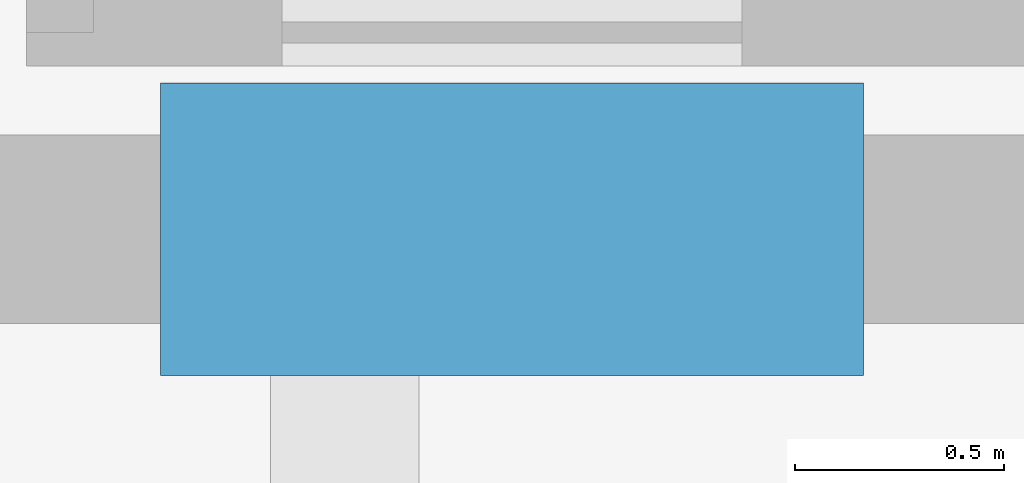
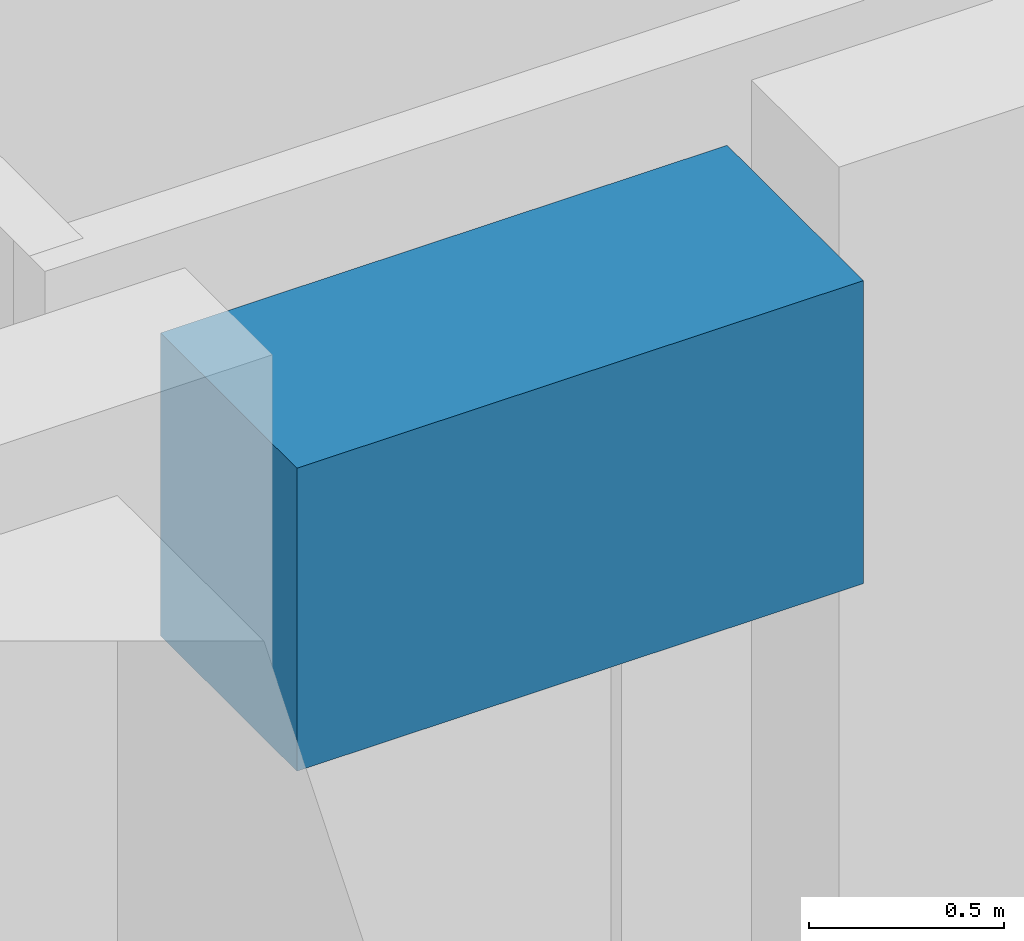
# One storey, part 7 of 30: 1 beam.
"""IFC4 building model written with IfcOpenShell, lengths in metres."""

from ifc_helpers import new_model, si_unit, direction, frame, origin, origin_2d, place, context, subcontext, project, spatial, rectangle, extrude, material, material_profile, profile_set, type_object, element, save


model = new_model("IFC4")

# Units and contexts
model_context = context("Model", 3, precision=1e-05, world=origin(), true_north=direction((0.0, 1.0)))
body_context = subcontext(model_context, "Body", "Model", "MODEL_VIEW")
ifc_project = project(units=[si_unit("LENGTHUNIT", "METRE"), si_unit("AREAUNIT", "SQUARE_METRE"), si_unit("VOLUMEUNIT", "CUBIC_METRE"), si_unit("PLANEANGLEUNIT", "RADIAN"), si_unit("MASSUNIT", "GRAM", prefix="KILO")], contexts=[model_context])

# Site, building, storey
site_placement = place(None, origin())
site = spatial("IfcSite", under=ifc_project, at=site_placement, CompositionType="ELEMENT")
building_placement = place(site_placement, origin())
building = spatial("IfcBuilding", under=site, at=building_placement, Name="Kolvaren Belvedere", CompositionType="ELEMENT")
storey_placement = place(building_placement, frame((0.0, 0.0, 254.89990234375)))
storey = spatial("IfcBuildingStorey", under=building, at=storey_placement, Name="L74", CompositionType="ELEMENT", Elevation=254.89990234375)

# Beam
ifc_material = material(Name="Concrete C60/75", Category="concrete")
ifc_material_profile = material_profile(ifc_material, rectangle(XDim=0.699951171875, YDim=0.949951171875, at=origin_2d()), Name="RC 700X950")
ifc_profile_set = profile_set([ifc_material_profile], Name="Concrete C60/75")
beam_type = type_object("IfcBeamType", Name="BM-LINT-950", PredefinedType="LINTEL", material=ifc_profile_set)
beam_placement = place(storey_placement, frame((-3.5400390625, -9.89990234375, 2.7451171875), z_axis=(1.0, 0.0, 0.0), x_axis=(0.0, 1.0, 0.0)))
element("IfcBeam", 1, at=beam_placement, inside=storey, type_object=beam_type, Name="L74 South Core Coupling Lintel", PredefinedType="LINTEL", context=body_context, shape_type="SweptSolid", body=[
    extrude(rectangle(XDim=0.699951171875, YDim=0.949951171875, at=origin_2d()), origin(), (0.0, 0.0, 1.0), 1.679931640625),
])

save(model, "model.ifc")
